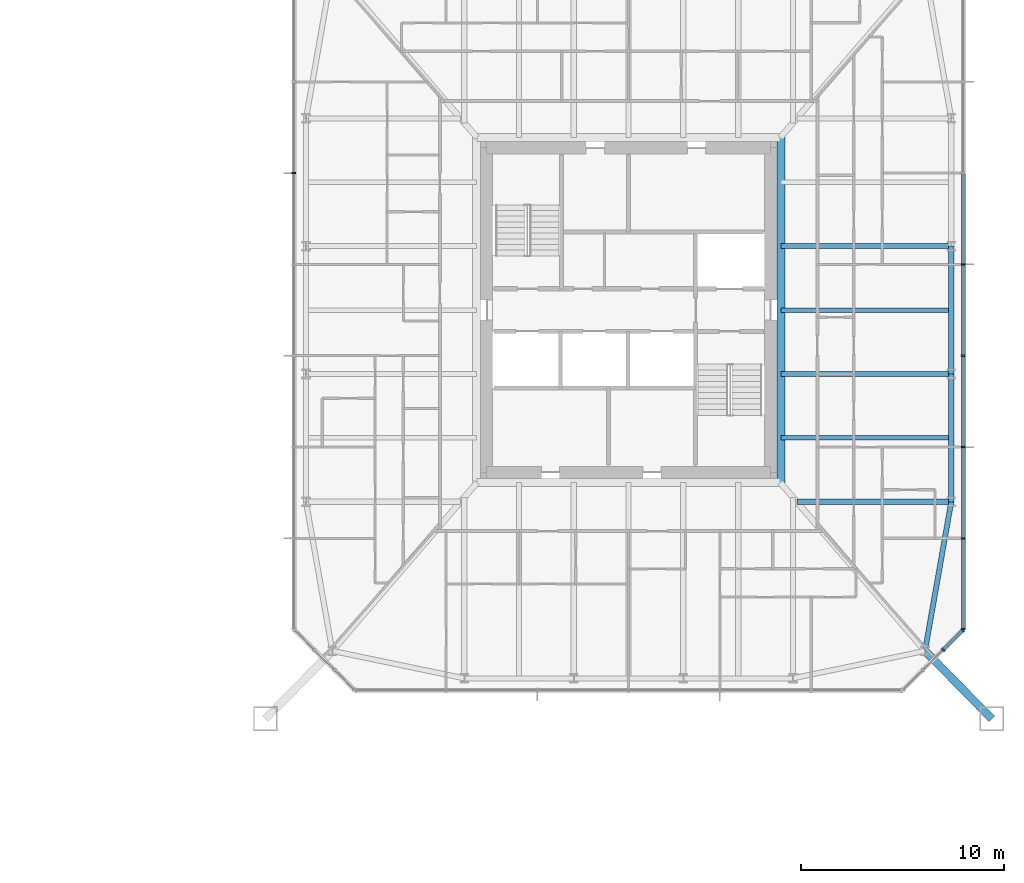
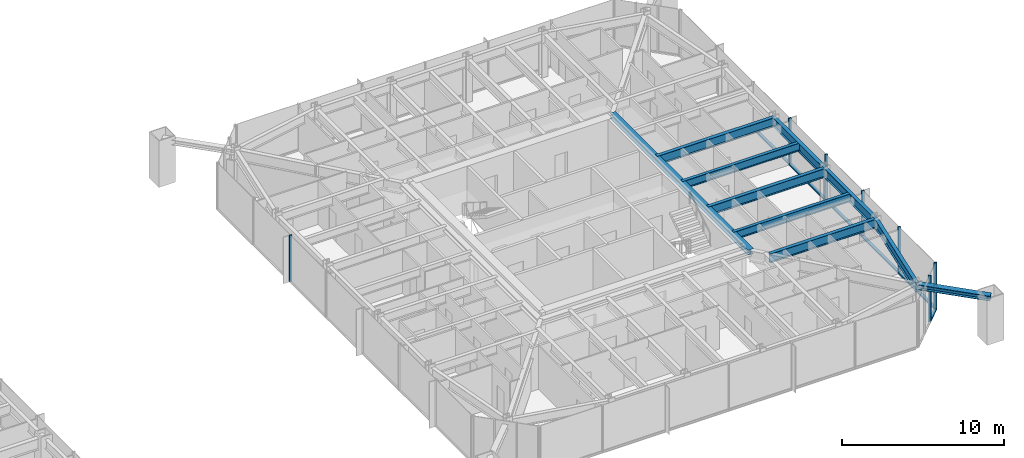
# One storey, part 9 of 26: 15 members, 9 beams, 3 elements without a shape of their own.
"""IFC4 building model written with IfcOpenShell, lengths in metres."""

from ifc_helpers import new_model, si_unit, direction, frame, origin, origin_2d, place, context, subcontext, project, spatial, rectangle, i_section, extrude, material, material_profile, profile_set, type_object, element, aggregate, save


model = new_model("IFC4")

# Units and contexts
model_context = context("Model", 3, precision=1e-05, world=origin(), true_north=direction((0.0, 1.0)))
body_context = subcontext(model_context, "Body", "Model", "MODEL_VIEW")
ifc_project = project(units=[si_unit("LENGTHUNIT", "METRE"), si_unit("AREAUNIT", "SQUARE_METRE"), si_unit("VOLUMEUNIT", "CUBIC_METRE"), si_unit("PLANEANGLEUNIT", "RADIAN"), si_unit("MASSUNIT", "GRAM", prefix="KILO")], contexts=[model_context])

# Site, building, storey
site_placement = place(None, origin())
site = spatial("IfcSite", under=ifc_project, at=site_placement, CompositionType="ELEMENT")
building_placement = place(site_placement, origin())
building = spatial("IfcBuilding", under=site, at=building_placement, Name="Iwan Alto Co-Living Towers", CompositionType="ELEMENT")
storey_placement = place(building_placement, frame((0.0, 0.0, 57.0)))
storey = spatial("IfcBuildingStorey", under=building, at=storey_placement, Name="L15", CompositionType="ELEMENT", Elevation=57.0)

# Curtain wall, members
ifc_material_1 = material(Name="Bronze aluminium unitised frame", Category="aluminium")
curtain_wall_type_1 = type_object("IfcCurtainWallType", Name="CURTAIN WALL CW-C", PredefinedType="NOTDEFINED", material=ifc_material_1)
curtain_wall_1_placement = place(storey_placement, origin())
curtain_wall_1 = element("IfcCurtainWall", 1, at=curtain_wall_1_placement, inside=storey, type_object=curtain_wall_type_1, Name="T2 curtain wall E L15", PredefinedType="NOTDEFINED")
ifc_material_2 = material(Name="Aluminium 6063-T6 bronze anodised", Category="aluminium")
ifc_material_profile_1 = material_profile(ifc_material_2, rectangle(XDim=0.199951171875, YDim=0.080078125, at=origin_2d()), Name="AL 80X200")
ifc_profile_set_1 = profile_set([ifc_material_profile_1], Name="Aluminium 6063-T6 bronze anodised")
member_type_1 = type_object("IfcMemberType", Name="CW-C MULLION 80X200", PredefinedType="MULLION", material=ifc_profile_set_1)
member_1_placement = place(storey_placement, frame((79.5, -15.7099609375, 0.0), z_axis=(0.0, 0.0, 1.0), x_axis=(-1.0, 0.0, 0.0)))
member_1 = element("IfcMember", 2, at=member_1_placement, type_object=member_type_1, Name="CW-C mullion 1", PredefinedType="MULLION", context=body_context, shape_type="SweptSolid", body=[
    extrude(rectangle(XDim=0.199951171875, YDim=0.080078125, at=origin_2d()), origin(), (0.0, 0.0, 1.0), 3.5),
])
member_2_placement = place(storey_placement, frame((79.5, -11.25, 0.0), z_axis=(0.0, 0.0, 1.0), x_axis=(-1.0, 0.0, 0.0)))
member_2 = element("IfcMember", 3, at=member_2_placement, type_object=member_type_1, Name="CW-C mullion 2", PredefinedType="MULLION", context=body_context, shape_type="SweptSolid", body=[
    extrude(rectangle(XDim=0.199951171875, YDim=0.080078125, at=origin_2d()), origin(), (0.0, 0.0, 1.0), 3.5),
])
member_3_placement = place(storey_placement, frame((79.5, -6.75, 0.0), z_axis=(0.0, 0.0, 1.0), x_axis=(-1.0, 0.0, 0.0)))
member_3 = element("IfcMember", 4, at=member_3_placement, type_object=member_type_1, Name="CW-C mullion 3", PredefinedType="MULLION", context=body_context, shape_type="SweptSolid", body=[
    extrude(rectangle(XDim=0.199951171875, YDim=0.080078125, at=origin_2d()), origin(), (0.0, 0.0, 1.0), 3.5),
])
member_4_placement = place(storey_placement, frame((79.5, -2.25, 0.0), z_axis=(0.0, 0.0, 1.0), x_axis=(-1.0, 0.0, 0.0)))
member_4 = element("IfcMember", 5, at=member_4_placement, type_object=member_type_1, Name="CW-C mullion 4", PredefinedType="MULLION", context=body_context, shape_type="SweptSolid", body=[
    extrude(rectangle(XDim=0.199951171875, YDim=0.080078125, at=origin_2d()), origin(), (0.0, 0.0, 1.0), 3.5),
])
member_5_placement = place(storey_placement, frame((79.5, 2.25, 0.0), z_axis=(0.0, 0.0, 1.0), x_axis=(-1.0, 0.0, 0.0)))
member_5 = element("IfcMember", 6, at=member_5_placement, type_object=member_type_1, Name="CW-C mullion 5", PredefinedType="MULLION", context=body_context, shape_type="SweptSolid", body=[
    extrude(rectangle(XDim=0.199951171875, YDim=0.080078125, at=origin_2d()), origin(), (0.0, 0.0, 1.0), 3.5),
])

# Curtain wall, member
curtain_wall_2_placement = place(storey_placement, origin())
curtain_wall_2 = element("IfcCurtainWall", 7, at=curtain_wall_2_placement, inside=storey, type_object=curtain_wall_type_1, Name="T2 curtain wall W L15", PredefinedType="NOTDEFINED")
member_6_placement = place(storey_placement, frame((46.5, 6.75, 0.0), z_axis=(0.0, 0.0, 1.0), x_axis=(1.0, 0.0, 0.0)))
member_6 = element("IfcMember", 8, at=member_6_placement, type_object=member_type_1, Name="CW-C mullion 3", PredefinedType="MULLION", context=body_context, shape_type="SweptSolid", body=[
    extrude(rectangle(XDim=0.199951171875, YDim=0.080078125, at=origin_2d()), origin(), (0.0, 0.0, 1.0), 3.5),
])
aggregate(curtain_wall_2, [member_6])

# Member
ifc_material_3 = material(Name="Aluminium 6063-T6 bronze anodised", Category="aluminium")
ifc_material_profile_2 = material_profile(ifc_material_3, rectangle(XDim=0.199951171875, YDim=0.10009765625, at=origin_2d()), Name="AL 200X100")
ifc_profile_set_2 = profile_set([ifc_material_profile_2], Name="Aluminium 6063-T6 bronze anodised")
member_type_2 = type_object("IfcMemberType", Name="CW-C TRANSOM 200X100", PredefinedType="USERDEFINED", material=ifc_profile_set_2)
member_7_placement = place(storey_placement, frame((79.5, -15.669921875, 0.050048828125), z_axis=(0.0, 1.0, 0.0), x_axis=(-1.0, 0.0, 0.0)))
member_7 = element("IfcMember", 9, at=member_7_placement, type_object=member_type_2, Name="CW-C transom 1.1", ObjectType="TRANSOM", PredefinedType="USERDEFINED", context=body_context, shape_type="SweptSolid", body=[
    extrude(rectangle(XDim=0.199951171875, YDim=0.10009765625, at=origin_2d()), origin(), (0.0, 0.0, 1.0), 4.3798828125),
])

member_8_placement = place(storey_placement, frame((79.5, -11.2099609375, 0.050048828125), z_axis=(0.0, 1.0, 0.0), x_axis=(-1.0, 0.0, 0.0)))
member_8 = element("IfcMember", 10, at=member_8_placement, type_object=member_type_2, Name="CW-C transom 2.1", ObjectType="TRANSOM", PredefinedType="USERDEFINED", context=body_context, shape_type="SweptSolid", body=[
    extrude(rectangle(XDim=0.199951171875, YDim=0.10009765625, at=origin_2d()), origin(), (0.0, 0.0, 1.0), 4.419921875),
])

member_9_placement = place(storey_placement, frame((79.5, -6.7099609375, 0.050048828125), z_axis=(0.0, 1.0, 0.0), x_axis=(-1.0, 0.0, 0.0)))
member_9 = element("IfcMember", 11, at=member_9_placement, type_object=member_type_2, Name="CW-C transom 3.1", ObjectType="TRANSOM", PredefinedType="USERDEFINED", context=body_context, shape_type="SweptSolid", body=[
    extrude(rectangle(XDim=0.199951171875, YDim=0.10009765625, at=origin_2d()), origin(), (0.0, 0.0, 1.0), 4.419921875),
])

member_10_placement = place(storey_placement, frame((79.5, -2.2099609375, 0.050048828125), z_axis=(0.0, 1.0, 0.0), x_axis=(-1.0, 0.0, 0.0)))
member_10 = element("IfcMember", 12, at=member_10_placement, type_object=member_type_2, Name="CW-C transom 4.1", ObjectType="TRANSOM", PredefinedType="USERDEFINED", context=body_context, shape_type="SweptSolid", body=[
    extrude(rectangle(XDim=0.199951171875, YDim=0.10009765625, at=origin_2d()), origin(), (0.0, 0.0, 1.0), 4.419921875),
])

member_11_placement = place(storey_placement, frame((79.5, 2.2900390625, 0.050048828125), z_axis=(0.0, 1.0, 0.0), x_axis=(-1.0, 0.0, 0.0)))
member_11 = element("IfcMember", 13, at=member_11_placement, type_object=member_type_2, Name="CW-C transom 5.1", ObjectType="TRANSOM", PredefinedType="USERDEFINED", context=body_context, shape_type="SweptSolid", body=[
    extrude(rectangle(XDim=0.199951171875, YDim=0.10009765625, at=origin_2d()), origin(), (0.0, 0.0, 1.0), 4.419921875),
])

aggregate(curtain_wall_1, [member_1, member_2, member_3, member_4, member_5, member_7, member_8, member_9, member_10, member_11])

# Curtain wall, members
ifc_material_4 = material(Name="Bronze aluminium unitised frame", Category="aluminium")
curtain_wall_type_2 = type_object("IfcCurtainWallType", Name="CURTAIN WALL CW-D", PredefinedType="NOTDEFINED", material=ifc_material_4)
curtain_wall_3_placement = place(storey_placement, origin())
curtain_wall_3 = element("IfcCurtainWall", 14, at=curtain_wall_3_placement, inside=storey, type_object=curtain_wall_type_2, Name="T2 chamfer curtain wall SE L15", PredefinedType="NOTDEFINED")
ifc_material_5 = material(Name="Aluminium 6063-T6 bronze anodised", Category="aluminium")
ifc_material_profile_3 = material_profile(ifc_material_5, rectangle(XDim=0.199951171875, YDim=0.080078125, at=origin_2d()), Name="AL 80X200")
ifc_profile_set_3 = profile_set([ifc_material_profile_3], Name="Aluminium 6063-T6 bronze anodised")
member_type_3 = type_object("IfcMemberType", Name="CW-D MULLION 80X200", PredefinedType="MULLION", material=ifc_profile_set_3)
member_12_placement = place(storey_placement, frame((78.5, -16.75, 0.0), z_axis=(0.0, 0.0, 1.0), x_axis=(-0.707106781187, 0.707106781187, 0.0)))
member_12 = element("IfcMember", 15, at=member_12_placement, type_object=member_type_3, Name="CW-D mullion 3", PredefinedType="MULLION", context=body_context, shape_type="SweptSolid", body=[
    extrude(rectangle(XDim=0.199951171875, YDim=0.080078125, at=origin_2d()), origin(), (0.0, 0.0, 1.0), 3.5),
])
member_13_placement = place(storey_placement, frame((79.4716796875, -15.7783203125, 0.0), z_axis=(0.0, 0.0, 1.0), x_axis=(-0.707106781187, 0.707106781187, 0.0)))
member_13 = element("IfcMember", 16, at=member_13_placement, type_object=member_type_3, Name="CW-D mullion 4", PredefinedType="MULLION", context=body_context, shape_type="SweptSolid", body=[
    extrude(rectangle(XDim=0.199951171875, YDim=0.080078125, at=origin_2d()), origin(), (0.0, 0.0, 1.0), 3.5),
])
ifc_material_6 = material(Name="Aluminium 6063-T6 bronze anodised", Category="aluminium")
ifc_material_profile_4 = material_profile(ifc_material_6, rectangle(XDim=0.199951171875, YDim=0.10009765625, at=origin_2d()), Name="AL 200X100")
ifc_profile_set_4 = profile_set([ifc_material_profile_4], Name="Aluminium 6063-T6 bronze anodised")
member_type_4 = type_object("IfcMemberType", Name="CW-D TRANSOM 200X100", PredefinedType="USERDEFINED", material=ifc_profile_set_4)
member_14_placement = place(storey_placement, frame((78.5283203125, -16.7216796875, 0.050048828125), z_axis=(0.707106781187, 0.707106781187, 0.0), x_axis=(-0.707106781187, 0.707106781187, 0.0)))
member_14 = element("IfcMember", 17, at=member_14_placement, type_object=member_type_4, Name="CW-D transom 3.1", ObjectType="TRANSOM", PredefinedType="USERDEFINED", context=body_context, shape_type="SweptSolid", body=[
    extrude(rectangle(XDim=0.199951171875, YDim=0.10009765625, at=origin_2d()), origin(), (0.0, 0.0, 1.0), 1.2939453125),
])
aggregate(curtain_wall_3, [member_12, member_13, member_14])

# Beams
ifc_material_7 = material(Name="Steel ASTM A992 Gr 50", Category="steel")
ifc_material_profile_5 = material_profile(ifc_material_7, i_section(OverallWidth=0.398681640625, OverallDepth=0.385986328125, WebThickness=0.02099609375, FlangeThickness=0.033203125, at=origin_2d()), Name="W14X176")
ifc_profile_set_5 = profile_set([ifc_material_profile_5], Name="Steel ASTM A992 Gr 50")
beam_type_1 = type_object("IfcBeamType", Name="T2 CORE LEDGER BEAM W14X176", PredefinedType="BEAM", material=ifc_profile_set_5)
beam_1_placement = place(storey_placement, frame((70.49951171875, -8.531982421875, 3.076904296875), z_axis=(0.0, 1.0, 0.0), x_axis=(-1.0, 0.0, 0.0)))
element("IfcBeam", 18, at=beam_1_placement, inside=storey, type_object=beam_type_1, Name="T2 core ledger beam E L16", PredefinedType="BEAM", context=body_context, shape_type="SweptSolid", body=[
    extrude(i_section(OverallWidth=0.398681640625, OverallDepth=0.385986328125, WebThickness=0.02099609375, FlangeThickness=0.033203125, at=origin_2d()), origin(), (0.0, 0.0, 1.0), 17.06396484375),
])
ifc_material_8 = material(Name="Steel ASTM A992 Gr 50", Category="steel")
ifc_material_profile_6 = material_profile(ifc_material_8, i_section(OverallWidth=0.25390625, OverallDepth=0.683349609375, WebThickness=0.012451171875, FlangeThickness=0.018798828125, at=origin_2d()), Name="W27X94")
ifc_profile_set_6 = profile_set([ifc_material_profile_6], Name="Steel ASTM A992 Gr 50")
beam_type_2 = type_object("IfcBeamType", Name="T2 EDGE BEAM W27X94", PredefinedType="BEAM", material=ifc_profile_set_6)
beam_2_placement = place(storey_placement, frame((77.606201171875, -16.797119140625, 2.928466796875), z_axis=(0.173413807283, 0.98484905008, 0.0), x_axis=(-0.98484905008, 0.173413807283, 0.0)))
element("IfcBeam", 19, at=beam_2_placement, inside=storey, type_object=beam_type_2, Name="T2 edge beam CSE L16", PredefinedType="BEAM", context=body_context, shape_type="SweptSolid", body=[
    extrude(i_section(OverallWidth=0.25390625, OverallDepth=0.683349609375, WebThickness=0.012451171875, FlangeThickness=0.018798828125, at=origin_2d()), origin(), (0.0, 0.0, 1.0), 7.460205078125),
])
beam_3_placement = place(storey_placement, frame((78.89990234375, -9.449951171875, 2.928466796875), z_axis=(0.0, 1.0, 0.0), x_axis=(-1.0, 0.0, 0.0)))
element("IfcBeam", 20, at=beam_3_placement, inside=storey, type_object=beam_type_2, Name="T2 edge beam E1 L16", PredefinedType="BEAM", context=body_context, shape_type="SweptSolid", body=[
    extrude(i_section(OverallWidth=0.25390625, OverallDepth=0.683349609375, WebThickness=0.012451171875, FlangeThickness=0.018798828125, at=origin_2d()), origin(), (0.0, 0.0, 1.0), 6.300048828125),
])
beam_4_placement = place(storey_placement, frame((78.89990234375, -3.14990234375, 2.928466796875), z_axis=(0.0, 1.0, 0.0), x_axis=(-1.0, 0.0, 0.0)))
element("IfcBeam", 21, at=beam_4_placement, inside=storey, type_object=beam_type_2, Name="T2 edge beam E2 L16", PredefinedType="BEAM", context=body_context, shape_type="SweptSolid", body=[
    extrude(i_section(OverallWidth=0.25390625, OverallDepth=0.683349609375, WebThickness=0.012451171875, FlangeThickness=0.018798828125, at=origin_2d()), origin(), (0.0, 0.0, 1.0), 6.2998046875),
])

# Member
ifc_material_9 = material(Name="Steel ASTM A992 Gr 50", Category="steel")
ifc_material_profile_7 = material_profile(ifc_material_9, i_section(OverallWidth=0.393798828125, OverallDepth=0.3759765625, WebThickness=0.017333984375, FlangeThickness=0.027587890625, at=origin_2d()), Name="W14X145")
ifc_profile_set_7 = profile_set([ifc_material_profile_7], Name="Steel ASTM A992 Gr 50")
member_type_5 = type_object("IfcMemberType", Name="T2 MEGA COLUMN FLOOR TIE W14X145", PredefinedType="STRUT", material=ifc_profile_set_7)
member_15_placement = place(storey_placement, frame((80.89990234375, -20.14990234375, 3.08203125), z_axis=(-0.700793469544, 0.71336422187, 0.0), x_axis=(-0.71336422187, -0.700793469544, 0.0)))
element("IfcMember", 22, at=member_15_placement, inside=storey, type_object=member_type_5, Name="T2 mega column floor tie SE L16", PredefinedType="STRUT", context=body_context, shape_type="SweptSolid", body=[
    extrude(i_section(OverallWidth=0.393798828125, OverallDepth=0.3759765625, WebThickness=0.017333984375, FlangeThickness=0.027587890625, at=origin_2d()), origin(), (0.0, 0.0, 1.0), 4.699951171875),
])

# Beams
ifc_material_10 = material(Name="Steel ASTM A992 Gr 50", Category="steel")
ifc_material_profile_8 = material_profile(ifc_material_10, i_section(OverallWidth=0.25390625, OverallDepth=0.683349609375, WebThickness=0.012451171875, FlangeThickness=0.018798828125, at=origin_2d()), Name="W27X94")
ifc_profile_set_8 = profile_set([ifc_material_profile_8], Name="Steel ASTM A992 Gr 50")
beam_type_3 = type_object("IfcBeamType", Name="T2 RADIAL BEAM W27X94", PredefinedType="BEAM", material=ifc_profile_set_8)
beam_5_placement = place(storey_placement, frame((78.89990234375, -9.449951171875, 2.928466796875), z_axis=(-1.0, 0.0, 0.0), x_axis=(0.0, -1.0, 0.0)))
element("IfcBeam", 23, at=beam_5_placement, inside=storey, type_object=beam_type_3, Name="T2 radial beam E1 L16", PredefinedType="BEAM", context=body_context, shape_type="SweptSolid", body=[
    extrude(i_section(OverallWidth=0.25390625, OverallDepth=0.683349609375, WebThickness=0.012451171875, FlangeThickness=0.018798828125, at=origin_2d()), origin(), (0.0, 0.0, 1.0), 7.611083984375),
])
for number, where, z_axis, x_axis, name in (
    (24, (78.89990234375, -3.14990234375, 2.928466796875), (-1.0, 0.0, 0.0), (0.0, -1.0, 0.0), "T2 radial beam E2 L16"),
    (25, (78.89990234375, 3.14990234375, 2.928466796875), (-1.0, 0.0, 0.0), (0.0, -1.0, 0.0), "T2 radial beam E3 L16"),
):
    element("IfcBeam", number, at=place(storey_placement, frame(where, z_axis=z_axis, x_axis=x_axis)), inside=storey, type_object=beam_type_3, Name=name, PredefinedType="BEAM", context=body_context, shape_type="SweptSolid", body=[
        extrude(i_section(OverallWidth=0.25390625, OverallDepth=0.683349609375, WebThickness=0.012451171875, FlangeThickness=0.018798828125, at=origin_2d()), origin(), (0.0, 0.0, 1.0), 8.400390625),
    ])
ifc_material_11 = material(Name="Steel ASTM A992 Gr 50", Category="steel")
ifc_material_profile_9 = material_profile(ifc_material_11, i_section(OverallWidth=0.228271484375, OverallDepth=0.607177734375, WebThickness=0.01123046875, FlangeThickness=0.017333984375, at=origin_2d()), Name="W24X76")
ifc_profile_set_9 = profile_set([ifc_material_profile_9], Name="Steel ASTM A992 Gr 50")
beam_type_4 = type_object("IfcBeamType", Name="T2 SECONDARY BEAM W24X76", PredefinedType="JOIST", material=ifc_profile_set_9)
for number, where, z_axis, x_axis, name in (
    (26, (78.89990234375, -6.300048828125, 2.966552734375), (-1.0, 0.0, 0.0), (0.0, -1.0, 0.0), "T2 secondary beam E1 L16"),
    (27, (78.89990234375, 0.0, 2.966552734375), (-1.0, 0.0, 0.0), (0.0, -1.0, 0.0), "T2 secondary beam E2 L16"),
):
    element("IfcBeam", number, at=place(storey_placement, frame(where, z_axis=z_axis, x_axis=x_axis)), inside=storey, type_object=beam_type_4, Name=name, PredefinedType="JOIST", context=body_context, shape_type="SweptSolid", body=[
        extrude(i_section(OverallWidth=0.228271484375, OverallDepth=0.607177734375, WebThickness=0.01123046875, FlangeThickness=0.017333984375, at=origin_2d()), origin(), (0.0, 0.0, 1.0), 8.400390625),
    ])

save(model, "model.ifc")
